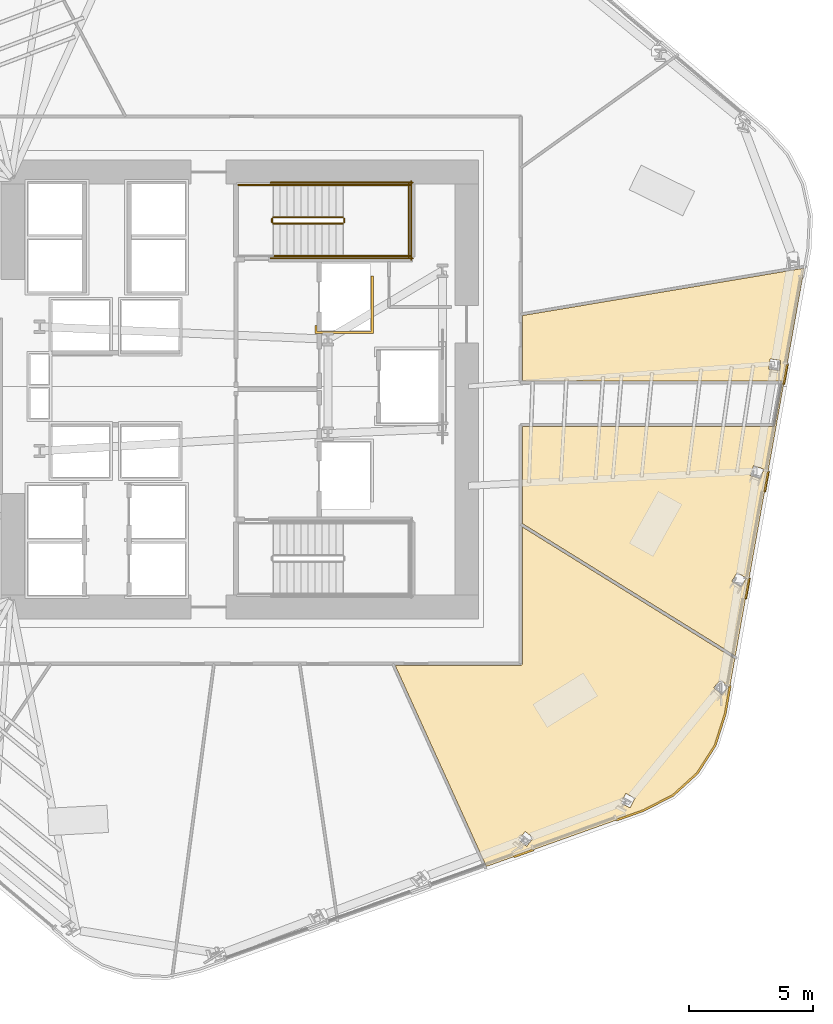
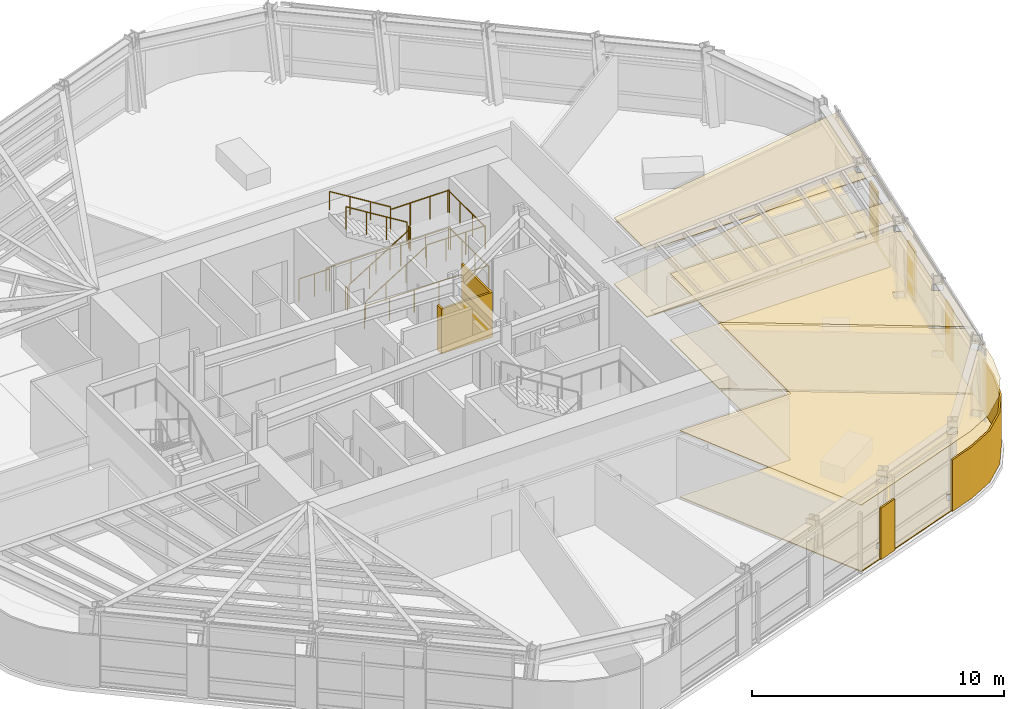
# One storey, part 16 of 18: 13 railings, 10 coverings.
"""IFC4 building model written with IfcOpenShell, lengths in metres."""

from ifc_helpers import new_model, si_unit, direction, frame, origin, origin_2d, place, context, subcontext, project, spatial, polyline, circle, outline, extrude, material, layer, layer_set, type_object, element, save


model = new_model("IFC4")

# Units and contexts
model_context = context("Model", 3, precision=1e-05, world=origin(), true_north=direction((0.0, 1.0)))
body_context = subcontext(model_context, "Body", "Model", "MODEL_VIEW")
ifc_project = project(units=[si_unit("LENGTHUNIT", "METRE"), si_unit("AREAUNIT", "SQUARE_METRE"), si_unit("VOLUMEUNIT", "CUBIC_METRE"), si_unit("PLANEANGLEUNIT", "RADIAN"), si_unit("MASSUNIT", "GRAM", prefix="KILO")], contexts=[model_context])

# Site, building, storey
site_placement = place(None, origin())
site = spatial("IfcSite", under=ifc_project, at=site_placement, CompositionType="ELEMENT")
building_placement = place(site_placement, origin())
building = spatial("IfcBuilding", under=site, at=building_placement, Name="Valkerne Bourse Tower", CompositionType="ELEMENT")
storey_placement = place(building_placement, frame((0.0, 0.0, 108.60009765625)))
storey = spatial("IfcBuildingStorey", under=building, at=storey_placement, Name="L27", CompositionType="ELEMENT", Elevation=108.60009765625)

# Coverings
ifc_material_1 = material(Name="Mineral Fiber Acoustic Ceiling Tile", Category="acoustic")
ifc_layer_1 = layer(ifc_material_1, 0.02490234375)
ifc_layer_set_1 = layer_set([ifc_layer_1], Name="Mineral Fiber Acoustic Ceiling Tile")
covering_type_1 = type_object("IfcCoveringType", Name="COV-CEIL-ACT", PredefinedType="CEILING", material=ifc_layer_set_1)
covering_1_placement = place(storey_placement, frame((0.0, 0.0, 3.22998046875)))
element("IfcCovering", 1, at=covering_1_placement, inside=storey, type_object=covering_type_1, Name="L27 Suspended Ceiling 07", PredefinedType="CEILING", context=body_context, shape_type="SweptSolid", body=[
    extrude(outline(polyline([(64.229248046875, 10.558349609375), (63.04833984375, 9.94873046875), (56.724365234375, 7.687255859375), (53.052978515625, 15.781005859375), (58.100341796875, 15.781005859375), (58.12890625, 15.787353515625), (58.151123046875, 15.803466796875), (58.1689453125, 15.84912109375), (58.1689453125, 21.345947265625), (66.71630859375, 16.040283203125), (66.322021484375, 13.82275390625), (65.918212890625, 12.556884765625), (65.205078125, 11.4462890625), (64.229248046875, 10.558349609375)]), holes=[polyline([(58.34423828125, 8.499267578125), (58.610107421875, 8.837890625), (58.283203125, 9.09619140625), (58.280517578125, 9.094482421875), (58.014404296875, 8.755859375), (58.341552734375, 8.49755859375), (58.34423828125, 8.499267578125)]), polyline([(62.50341796875, 10.050537109375), (62.70068359375, 10.43310546875), (62.330810546875, 10.625244140625), (62.32861328125, 10.623046875), (62.131103515625, 10.240478515625), (62.5009765625, 10.04833984375), (62.50341796875, 10.050537109375)]), polyline([(66.466796875, 14.90576171875), (66.14794921875, 15.197509765625), (65.8671875, 14.891845703125), (65.865478515625, 14.888916015625), (66.18408203125, 14.59716796875), (66.46484375, 14.903076171875), (66.466796875, 14.90576171875)])]), origin(), (0.0, 0.0, 1.0), 0.02490234375),
])
covering_2_placement = place(storey_placement, frame((0.0, 0.0, 3.22998046875)))
element("IfcCovering", 2, at=covering_2_placement, inside=storey, type_object=covering_type_1, Name="L27 Suspended Ceiling 08", PredefinedType="CEILING", context=body_context, shape_type="SweptSolid", body=[
    extrude(outline(polyline([(58.1689453125, 25.381103515625), (68.26171875, 25.3818359375), (68.298095703125, 25.399658203125), (68.318359375, 25.437255859375), (68.621826171875, 27.14892578125), (68.603515625, 27.197021484375), (68.581298828125, 27.212890625), (68.552978515625, 27.218994140625), (58.1689453125, 27.218994140625), (58.1689453125, 29.85009765625), (69.509521484375, 31.756103515625), (66.738525390625, 16.16552734375), (58.1689453125, 21.48486328125), (58.1689453125, 25.381103515625)]), holes=[polyline([(67.177978515625, 19.285888671875), (66.81005859375, 19.5126953125), (66.591796875, 19.1591796875), (66.590576171875, 19.156494140625), (66.95849609375, 18.9296875), (67.1767578125, 19.282958984375), (67.177978515625, 19.285888671875)]), polyline([(67.876708984375, 23.667724609375), (67.470458984375, 23.81494140625), (67.32861328125, 23.4248046875), (67.327880859375, 23.421630859375), (67.734375, 23.2744140625), (67.876220703125, 23.664794921875), (67.876708984375, 23.667724609375)]), polyline([(68.564208984375, 28.041748046875), (68.564208984375, 28.044921875), (68.13623046875, 28.106201171875), (68.076904296875, 27.6953125), (68.076904296875, 27.692138671875), (68.504638671875, 27.630615234375), (68.564208984375, 28.041748046875)])]), origin(), (0.0, 0.0, 1.0), 0.02490234375),
])
ifc_material_2 = material(Name="Bronze Anodised Aluminium AA 6063-T6", Category="aluminium")
ifc_layer_2 = layer(ifc_material_2, 0.06005859375)
ifc_layer_set_2 = layer_set([ifc_layer_2], Name="Bronze Anodised Aluminium AA 6063-T6")
covering_type_2 = type_object("IfcCoveringType", Name="COV-CRN-ALUM", PredefinedType="CLADDING", material=ifc_layer_set_2)
covering_3_placement = place(storey_placement, origin())
element("IfcCovering", 3, at=covering_3_placement, inside=storey, type_object=covering_type_2, Name="L27 Wind-Shaped Corner Aluminium Cladding 01", PredefinedType="CLADDING", context=body_context, shape_type="SweptSolid", body=[
    extrude(outline(polyline([(65.958251953125, 12.537841796875), (65.239013671875, 11.417724609375), (64.25439453125, 10.52197265625), (63.06591796875, 9.908203125), (61.965576171875, 9.514892578125), (61.9384765625, 9.590087890625), (63.033935546875, 9.981689453125), (64.20849609375, 10.588134765625), (65.177490234375, 11.4697265625), (65.88525390625, 12.572265625), (66.287109375, 13.83154296875), (66.49072265625, 14.97705078125), (66.5693359375, 14.962890625), (66.364990234375, 13.812255859375), (65.958251953125, 12.537841796875)])), origin(), (0.0, 0.0, 1.0), 2.5),
])
covering_4_placement = place(storey_placement, origin())
element("IfcCovering", 4, at=covering_4_placement, inside=storey, type_object=covering_type_2, Name="L27 Wind-Shaped Corner Aluminium Cladding 02", PredefinedType="CLADDING", context=body_context, shape_type="SweptSolid", body=[
    extrude(outline(polyline([(57.83837890625, 8.038818359375), (57.811279296875, 8.1142578125), (58.602294921875, 8.39697265625), (58.62939453125, 8.32177734375), (57.83837890625, 8.038818359375)])), origin(), (0.0, 0.0, 1.0), 2.5),
])
covering_5_placement = place(storey_placement, origin())
element("IfcCovering", 5, at=covering_5_placement, inside=storey, type_object=covering_type_2, Name="L27 Wind-Shaped Corner Aluminium Cladding 22", PredefinedType="CLADDING", context=body_context, shape_type="SweptSolid", body=[
    extrude(outline(polyline([(68.723388671875, 27.081787109375), (68.644775390625, 27.09619140625), (68.791748046875, 27.923095703125), (68.870361328125, 27.908935546875), (68.723388671875, 27.081787109375)])), origin(), (0.0, 0.0, 1.0), 2.5),
])
covering_6_placement = place(storey_placement, origin())
element("IfcCovering", 6, at=covering_6_placement, inside=storey, type_object=covering_type_2, Name="L27 Wind-Shaped Corner Aluminium Cladding 23", PredefinedType="CLADDING", context=body_context, shape_type="SweptSolid", body=[
    extrude(outline(polyline([(67.956298828125, 22.7666015625), (67.877685546875, 22.78076171875), (68.024658203125, 23.60791015625), (68.103515625, 23.593505859375), (67.956298828125, 22.7666015625)])), origin(), (0.0, 0.0, 1.0), 2.5),
])
covering_7_placement = place(storey_placement, origin())
element("IfcCovering", 7, at=covering_7_placement, inside=storey, type_object=covering_type_2, Name="L27 Wind-Shaped Corner Aluminium Cladding 24", PredefinedType="CLADDING", context=body_context, shape_type="SweptSolid", body=[
    extrude(outline(polyline([(67.189453125, 18.451171875), (67.110595703125, 18.46533203125), (67.2578125, 19.29248046875), (67.33642578125, 19.2783203125), (67.189453125, 18.451171875)])), origin(), (0.0, 0.0, 1.0), 2.5),
])
ifc_material_3 = material(Name="Galvanised Painted Steel", Category="steel")
ifc_layer_3 = layer(ifc_material_3, 0.044921875)
ifc_layer_set_3 = layer_set([ifc_layer_3], Name="Galvanised Painted Steel")
covering_type_3 = type_object("IfcCoveringType", Name="COV-FLR-RAF", PredefinedType="FLOORING", material=ifc_layer_set_3)
covering_8_placement = place(storey_placement, origin())
element("IfcCovering", 8, at=covering_8_placement, inside=storey, type_object=covering_type_3, Name="L27 Floor Finish 07", PredefinedType="FLOORING", context=body_context, shape_type="SweptSolid", body=[
    extrude(outline(polyline([(64.229248046875, 10.558349609375), (63.04833984375, 9.94873046875), (56.724365234375, 7.687255859375), (53.052978515625, 15.781005859375), (58.100341796875, 15.781005859375), (58.12890625, 15.787353515625), (58.151123046875, 15.803466796875), (58.1689453125, 15.84912109375), (58.1689453125, 21.345947265625), (66.71630859375, 16.040283203125), (66.322021484375, 13.82275390625), (65.918212890625, 12.556884765625), (65.205078125, 11.4462890625), (64.229248046875, 10.558349609375)]), holes=[polyline([(58.34423828125, 8.499267578125), (58.610107421875, 8.837890625), (58.283203125, 9.09619140625), (58.280517578125, 9.094482421875), (58.014404296875, 8.755859375), (58.341552734375, 8.49755859375), (58.34423828125, 8.499267578125)]), polyline([(62.50341796875, 10.050537109375), (62.70068359375, 10.43310546875), (62.330810546875, 10.625244140625), (62.32861328125, 10.623046875), (62.131103515625, 10.240478515625), (62.5009765625, 10.04833984375), (62.50341796875, 10.050537109375)]), polyline([(66.466796875, 14.90576171875), (66.14794921875, 15.197509765625), (65.8671875, 14.891845703125), (65.865478515625, 14.888916015625), (66.18408203125, 14.59716796875), (66.46484375, 14.903076171875), (66.466796875, 14.90576171875)])]), origin(), (0.0, 0.0, 1.0), 0.044921875),
])
covering_9_placement = place(storey_placement, origin())
element("IfcCovering", 9, at=covering_9_placement, inside=storey, type_object=covering_type_3, Name="L27 Floor Finish 08", PredefinedType="FLOORING", context=body_context, shape_type="SweptSolid", body=[
    extrude(outline(polyline([(58.1689453125, 25.381103515625), (68.26171875, 25.3818359375), (68.298095703125, 25.399658203125), (68.318359375, 25.437255859375), (68.621826171875, 27.14892578125), (68.603515625, 27.197021484375), (68.581298828125, 27.212890625), (68.552978515625, 27.218994140625), (58.1689453125, 27.218994140625), (58.1689453125, 29.85009765625), (69.509521484375, 31.756103515625), (66.738525390625, 16.16552734375), (58.1689453125, 21.48486328125), (58.1689453125, 25.381103515625)]), holes=[polyline([(67.177978515625, 19.285888671875), (66.81005859375, 19.5126953125), (66.591796875, 19.1591796875), (66.590576171875, 19.156494140625), (66.95849609375, 18.9296875), (67.1767578125, 19.282958984375), (67.177978515625, 19.285888671875)]), polyline([(67.876708984375, 23.667724609375), (67.470458984375, 23.81494140625), (67.32861328125, 23.4248046875), (67.327880859375, 23.421630859375), (67.734375, 23.2744140625), (67.876220703125, 23.664794921875), (67.876708984375, 23.667724609375)]), polyline([(68.564208984375, 28.041748046875), (68.564208984375, 28.044921875), (68.13623046875, 28.106201171875), (68.076904296875, 27.6953125), (68.076904296875, 27.692138671875), (68.504638671875, 27.630615234375), (68.564208984375, 28.041748046875)])]), origin(), (0.0, 0.0, 1.0), 0.044921875),
])
ifc_material_4 = material(Name="Gypsum Shaftwall Liner Board", Category="gypsum")
ifc_layer_4 = layer(ifc_material_4, 0.080078125)
ifc_layer_set_4 = layer_set([ifc_layer_4], Name="Gypsum Shaftwall Liner Board")
covering_type_4 = type_object("IfcCoveringType", Name="COV-SHF-CLAD", PredefinedType="CLADDING", material=ifc_layer_set_4)
covering_10_placement = place(storey_placement, origin())
element("IfcCovering", 10, at=covering_10_placement, inside=storey, type_object=covering_type_4, Name="L27 Hoistway & Riser Shaftwall Liner 10", PredefinedType="CLADDING", context=body_context, shape_type="SweptSolid", body=[
    extrude(outline(polyline([(49.820068359375, 29.1201171875), (49.820068359375, 29.468017578125), (49.827880859375, 29.46435546875), (49.869384765625, 29.449462890625), (49.909912109375, 29.439208984375), (49.909912109375, 29.2099609375), (52.090087890625, 29.2099609375), (52.090087890625, 31.449951171875), (52.179931640625, 31.449951171875), (52.179931640625, 29.1201171875), (49.820068359375, 29.1201171875)])), origin(), (0.0, 0.0, 1.0), 2.179931640625),
])

# Railings
railing_type_1 = type_object("IfcRailingType", Name="RLG-ST-GUARD-1120", PredefinedType="GUARDRAIL", material=ifc_material_3)
railing_1_placement = place(storey_placement, frame((48.14990234375, 33.550048828125, 0.172607421875)))
element("IfcRailing", 11, at=railing_1_placement, inside=storey, type_object=railing_type_1, Name="L27 ST-2 stair guard 1", PredefinedType="GUARDRAIL", context=body_context, shape_type="SweptSolid", body=[
    extrude(circle(Radius=0.02392578125, at=origin_2d()), frame((0.0, 0.0, 1.09619140625), z_axis=(0.851089632645, 0.0, 0.525020415988), x_axis=(0.0, 1.0, 0.0)), (0.0, 0.0, 1.0), 3.2900390625),
    extrude(circle(Radius=0.02099609375, at=origin_2d()), origin(), (0.0, 0.0, 1.0), 1.072021484375),
    extrude(circle(Radius=0.02099609375, at=origin_2d()), frame((0.933349609375, 0.0, 0.57568359375)), (0.0, 0.0, 1.0), 1.072021484375),
    extrude(circle(Radius=0.02099609375, at=origin_2d()), frame((1.86669921875, 0.0, 1.151611328125)), (0.0, 0.0, 1.0), 1.072021484375),
    extrude(circle(Radius=0.02099609375, at=origin_2d()), frame((2.800048828125, 0.0, 1.727294921875)), (0.0, 0.0, 1.0), 1.072021484375),
])
railing_2_placement = place(storey_placement, frame((51.0, 33.60009765625, 1.89990234375)))
element("IfcRailing", 12, at=railing_2_placement, inside=storey, type_object=railing_type_1, Name="L27 ST-2 stair guard 2", PredefinedType="GUARDRAIL", context=body_context, shape_type="SweptSolid", body=[
    extrude(circle(Radius=0.02392578125, at=origin_2d()), frame((0.0, 0.0, 1.09619140625), z_axis=(0.0, 1.0, 0.0), x_axis=(-1.0, 0.0, 0.0)), (0.0, 0.0, 1.0), 0.14990234375),
    extrude(circle(Radius=0.02099609375, at=origin_2d()), origin(), (0.0, 0.0, 1.0), 1.072021484375),
    extrude(circle(Radius=0.02099609375, at=origin_2d()), frame((0.0, 0.14990234375, 0.0)), (0.0, 0.0, 1.0), 1.072021484375),
])
for number, where, name in (
    (13, (50.949951171875, 32.25, 1.89990234375), "L27 ST-2 stair guard 3"),
    (14, (50.949951171875, 35.10009765625, 1.89990234375), "L27 ST-2 stair guard 4"),
):
    element("IfcRailing", number, at=place(storey_placement, frame(where)), inside=storey, type_object=railing_type_1, Name=name, PredefinedType="GUARDRAIL", context=body_context, shape_type="SweptSolid", body=[
        extrude(circle(Radius=0.02392578125, at=origin_2d()), frame((0.0, 0.0, 1.09619140625), z_axis=(1.0, 0.0, 0.0), x_axis=(0.0, 1.0, 0.0)), (0.0, 0.0, 1.0), 2.699951171875),
        extrude(circle(Radius=0.02099609375, at=origin_2d()), origin(), (0.0, 0.0, 1.0), 1.072021484375),
        extrude(circle(Radius=0.02099609375, at=origin_2d()), frame((0.89990234375, 0.0, 0.0)), (0.0, 0.0, 1.0), 1.072021484375),
        extrude(circle(Radius=0.02099609375, at=origin_2d()), frame((1.800048828125, 0.0, 0.0)), (0.0, 0.0, 1.0), 1.072021484375),
        extrude(circle(Radius=0.02099609375, at=origin_2d()), frame((2.699951171875, 0.0, 0.0)), (0.0, 0.0, 1.0), 1.072021484375),
    ])
railing_3_placement = place(storey_placement, frame((53.60009765625, 32.199951171875, 1.89990234375)))
element("IfcRailing", 15, at=railing_3_placement, inside=storey, type_object=railing_type_1, Name="L27 ST-2 stair guard 5", PredefinedType="GUARDRAIL", context=body_context, shape_type="SweptSolid", body=[
    extrude(circle(Radius=0.02392578125, at=origin_2d()), frame((0.0, 0.0, 1.09619140625), z_axis=(0.0, 1.0, 0.0), x_axis=(-1.0, 0.0, 0.0)), (0.0, 0.0, 1.0), 2.949951171875),
    extrude(circle(Radius=0.02099609375, at=origin_2d()), origin(), (0.0, 0.0, 1.0), 1.072021484375),
    extrude(circle(Radius=0.02099609375, at=origin_2d()), frame((0.0, 0.9833984375, 0.0)), (0.0, 0.0, 1.0), 1.072021484375),
    extrude(circle(Radius=0.02099609375, at=origin_2d()), frame((0.0, 1.966552734375, 0.0)), (0.0, 0.0, 1.0), 1.072021484375),
    extrude(circle(Radius=0.02099609375, at=origin_2d()), frame((0.0, 2.949951171875, 0.0)), (0.0, 0.0, 1.0), 1.072021484375),
])
railing_4_placement = place(storey_placement, frame((50.949951171875, 33.800048828125, 2.072509765625)))
element("IfcRailing", 16, at=railing_4_placement, inside=storey, type_object=railing_type_1, Name="L27 ST-2 stair guard 6", PredefinedType="GUARDRAIL", context=body_context, shape_type="SweptSolid", body=[
    extrude(circle(Radius=0.02392578125, at=origin_2d()), frame((0.0, 0.0, 1.09619140625), z_axis=(-0.851089632645, 0.0, 0.525020415988), x_axis=(0.0, -1.0, 0.0)), (0.0, 0.0, 1.0), 3.2900390625),
    extrude(circle(Radius=0.02099609375, at=origin_2d()), origin(), (0.0, 0.0, 1.0), 1.072021484375),
    extrude(circle(Radius=0.02099609375, at=origin_2d()), frame((-0.933349609375, 0.0, 0.57568359375)), (0.0, 0.0, 1.0), 1.072021484375),
    extrude(circle(Radius=0.02099609375, at=origin_2d()), frame((-1.86669921875, 0.0, 1.151611328125)), (0.0, 0.0, 1.0), 1.072021484375),
    extrude(circle(Radius=0.02099609375, at=origin_2d()), frame((-2.800048828125, 0.0, 1.727294921875)), (0.0, 0.0, 1.0), 1.072021484375),
])
railing_5_placement = place(storey_placement, frame((48.10009765625, 33.60009765625, 0.0)))
element("IfcRailing", 17, at=railing_5_placement, inside=storey, type_object=railing_type_1, Name="L27 ST-2 stair guard 7", PredefinedType="GUARDRAIL", context=body_context, shape_type="SweptSolid", body=[
    extrude(circle(Radius=0.02392578125, at=origin_2d()), frame((0.0, 0.0, 1.09619140625), z_axis=(0.0, 1.0, 0.0), x_axis=(-1.0, 0.0, 0.0)), (0.0, 0.0, 1.0), 0.14990234375),
    extrude(circle(Radius=0.02099609375, at=origin_2d()), origin(), (0.0, 0.0, 1.0), 1.072021484375),
    extrude(circle(Radius=0.02099609375, at=origin_2d()), frame((0.0, 0.14990234375, 0.0)), (0.0, 0.0, 1.0), 1.072021484375),
])
railing_6_placement = place(storey_placement, frame((46.75, 35.10009765625, 0.0)))
element("IfcRailing", 18, at=railing_6_placement, inside=storey, type_object=railing_type_1, Name="L27 ST-2 stair guard 9", PredefinedType="GUARDRAIL", context=body_context, shape_type="SweptSolid", body=[
    extrude(circle(Radius=0.02392578125, at=origin_2d()), frame((0.0, 0.0, 1.09619140625), z_axis=(1.0, 0.0, 0.0), x_axis=(0.0, 1.0, 0.0)), (0.0, 0.0, 1.0), 1.39990234375),
    extrude(circle(Radius=0.02099609375, at=origin_2d()), origin(), (0.0, 0.0, 1.0), 1.072021484375),
    extrude(circle(Radius=0.02099609375, at=origin_2d()), frame((0.699951171875, 0.0, 0.0)), (0.0, 0.0, 1.0), 1.072021484375),
    extrude(circle(Radius=0.02099609375, at=origin_2d()), frame((1.39990234375, 0.0, 0.0)), (0.0, 0.0, 1.0), 1.072021484375),
])
for number, where, name in (
    (19, (48.050048828125, 32.14990234375, 0.0), "L27 ST-2 stair guard 10"),
    (20, (48.050048828125, 35.199951171875, 0.0), "L27 ST-2 stair guard 11"),
):
    element("IfcRailing", number, at=place(storey_placement, frame(where)), inside=storey, type_object=railing_type_1, Name=name, PredefinedType="GUARDRAIL", context=body_context, shape_type="SweptSolid", body=[
        extrude(circle(Radius=0.02392578125, at=origin_2d()), frame((0.0, 0.0, 1.09619140625), z_axis=(1.0, 0.0, 0.0), x_axis=(0.0, 1.0, 0.0)), (0.0, 0.0, 1.0), 5.699951171875),
        extrude(circle(Radius=0.02099609375, at=origin_2d()), origin(), (0.0, 0.0, 1.0), 1.072021484375),
        extrude(circle(Radius=0.02099609375, at=origin_2d()), frame((1.139892578125, 0.0, 0.0)), (0.0, 0.0, 1.0), 1.072021484375),
        extrude(circle(Radius=0.02099609375, at=origin_2d()), frame((2.280029296875, 0.0, 0.0)), (0.0, 0.0, 1.0), 1.072021484375),
        extrude(circle(Radius=0.02099609375, at=origin_2d()), frame((3.419921875, 0.0, 0.0)), (0.0, 0.0, 1.0), 1.072021484375),
        extrude(circle(Radius=0.02099609375, at=origin_2d()), frame((4.56005859375, 0.0, 0.0)), (0.0, 0.0, 1.0), 1.072021484375),
        extrude(circle(Radius=0.02099609375, at=origin_2d()), frame((5.699951171875, 0.0, 0.0)), (0.0, 0.0, 1.0), 1.072021484375),
    ])
railing_7_placement = place(storey_placement, frame((53.699951171875, 32.10009765625, 0.0)))
element("IfcRailing", 21, at=railing_7_placement, inside=storey, type_object=railing_type_1, Name="L27 ST-2 stair guard 12", PredefinedType="GUARDRAIL", context=body_context, shape_type="SweptSolid", body=[
    extrude(circle(Radius=0.02392578125, at=origin_2d()), frame((0.0, 0.0, 1.09619140625), z_axis=(0.0, 1.0, 0.0), x_axis=(-1.0, 0.0, 0.0)), (0.0, 0.0, 1.0), 3.14990234375),
    extrude(circle(Radius=0.02099609375, at=origin_2d()), origin(), (0.0, 0.0, 1.0), 1.072021484375),
    extrude(circle(Radius=0.02099609375, at=origin_2d()), frame((0.0, 1.050048828125, 0.0)), (0.0, 0.0, 1.0), 1.072021484375),
    extrude(circle(Radius=0.02099609375, at=origin_2d()), frame((0.0, 2.099853515625, 0.0)), (0.0, 0.0, 1.0), 1.072021484375),
    extrude(circle(Radius=0.02099609375, at=origin_2d()), frame((0.0, 3.14990234375, 0.0)), (0.0, 0.0, 1.0), 1.072021484375),
])
ifc_material_5 = material(Name="Stainless Steel AISI 316", Category="steel")
railing_type_2 = type_object("IfcRailingType", Name="RLG-ST-HANDRAIL-900", PredefinedType="HANDRAIL", material=ifc_material_5)
railing_8_placement = place(storey_placement, frame((48.14990234375, 32.25, 0.345458984375)))
element("IfcRailing", 22, at=railing_8_placement, inside=storey, type_object=railing_type_2, Name="L27 ST-2 stair handrail 1", PredefinedType="HANDRAIL", context=body_context, shape_type="SweptSolid", body=[
    extrude(circle(Radius=0.02392578125, at=origin_2d()), frame((0.0, 0.0, 0.8759765625), z_axis=(0.851122791225, 0.0, 0.524966660138), x_axis=(0.0, 1.0, 0.0)), (0.0, 0.0, 1.0), 3.289794921875),
    extrude(circle(Radius=0.02099609375, at=origin_2d()), origin(), (0.0, 0.0, 1.0), 0.851806640625),
    extrude(circle(Radius=0.02099609375, at=origin_2d()), frame((0.933349609375, 0.0, 0.57568359375)), (0.0, 0.0, 1.0), 0.851806640625),
    extrude(circle(Radius=0.02099609375, at=origin_2d()), frame((1.86669921875, 0.0, 1.1513671875)), (0.0, 0.0, 1.0), 0.851806640625),
    extrude(circle(Radius=0.02099609375, at=origin_2d()), frame((2.800048828125, 0.0, 1.72705078125)), (0.0, 0.0, 1.0), 0.851806640625),
])
railing_9_placement = place(storey_placement, frame((50.949951171875, 35.10009765625, 2.245361328125)))
element("IfcRailing", 23, at=railing_9_placement, inside=storey, type_object=railing_type_2, Name="L27 ST-2 stair handrail 2", PredefinedType="HANDRAIL", context=body_context, shape_type="SweptSolid", body=[
    extrude(circle(Radius=0.02392578125, at=origin_2d()), frame((0.0, 0.0, 0.8759765625), z_axis=(-0.851089632645, 0.0, 0.525020415988), x_axis=(0.0, -1.0, 0.0)), (0.0, 0.0, 1.0), 3.2900390625),
    extrude(circle(Radius=0.02099609375, at=origin_2d()), origin(), (0.0, 0.0, 1.0), 0.851806640625),
    extrude(circle(Radius=0.02099609375, at=origin_2d()), frame((-0.933349609375, 0.0, 0.57568359375)), (0.0, 0.0, 1.0), 0.851806640625),
    extrude(circle(Radius=0.02099609375, at=origin_2d()), frame((-1.86669921875, 0.0, 1.151611328125)), (0.0, 0.0, 1.0), 0.851806640625),
    extrude(circle(Radius=0.02099609375, at=origin_2d()), frame((-2.800048828125, 0.0, 1.727294921875)), (0.0, 0.0, 1.0), 0.851806640625),
])

save(model, "model.ifc")
